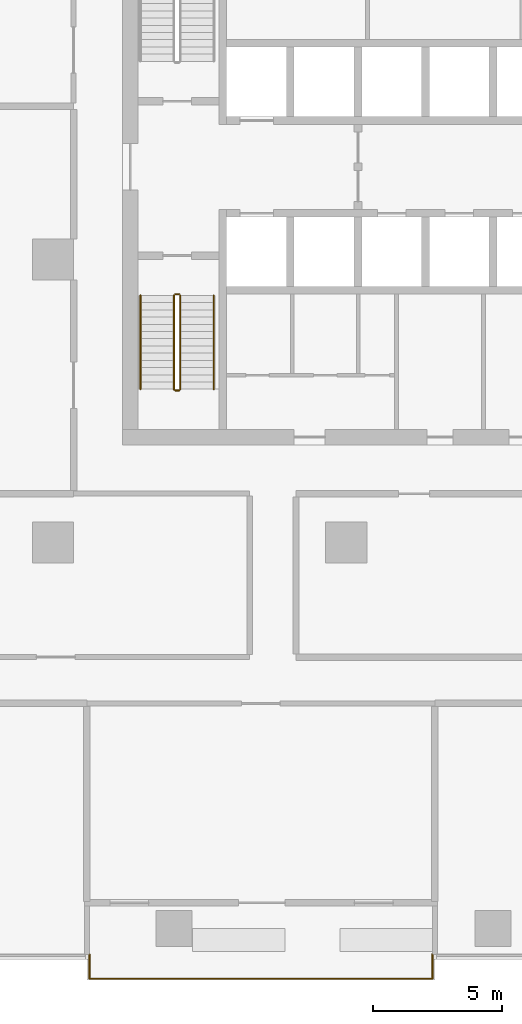
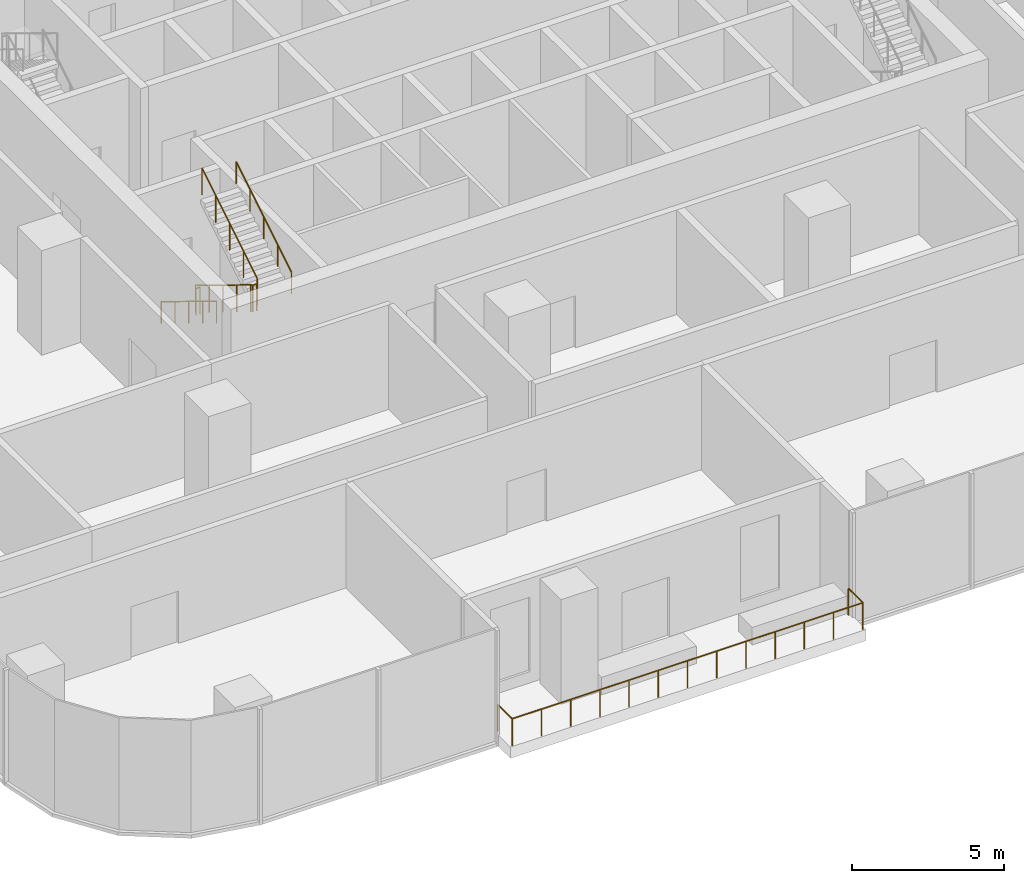
# One storey, part 12 of 15: 6 railings.
"""IFC4 building model written with IfcOpenShell, lengths in metres."""

from ifc_helpers import new_model, si_unit, direction, frame, origin, origin_2d, place, context, subcontext, project, spatial, circle, extrude, material, type_object, element, save


model = new_model("IFC4")

# Units and contexts
model_context = context("Model", 3, precision=1e-05, world=origin(), true_north=direction((0.0, 1.0)))
body_context = subcontext(model_context, "Body", "Model", "MODEL_VIEW")
ifc_project = project(units=[si_unit("LENGTHUNIT", "METRE"), si_unit("AREAUNIT", "SQUARE_METRE"), si_unit("VOLUMEUNIT", "CUBIC_METRE"), si_unit("PLANEANGLEUNIT", "RADIAN"), si_unit("MASSUNIT", "GRAM", prefix="KILO")], contexts=[model_context])

# Site, building, storey
site_placement = place(None, origin())
site = spatial("IfcSite", under=ifc_project, at=site_placement, CompositionType="ELEMENT")
building_placement = place(site_placement, origin())
building = spatial("IfcBuilding", under=site, at=building_placement, Name="Mopane Tessera Tower", CompositionType="ELEMENT")
storey_placement = place(building_placement, frame((0.0, 0.0, 83.800048828125)))
storey = spatial("IfcBuildingStorey", under=building, at=storey_placement, Name="L16", CompositionType="ELEMENT", Elevation=83.800048828125)

# Railings
ifc_material_1 = material(Name="Powder-coated steel balustrade", Category="steel")
railing_type_1 = type_object("IfcRailingType", Name="Escape stair guard 1100 mm", PredefinedType="GUARDRAIL", material=ifc_material_1)
railing_1_placement = place(storey_placement, frame((-12.39990234375, -1.39990234375, 0.17138671875)))
element("IfcRailing", 1, at=railing_1_placement, inside=storey, type_object=railing_type_1, Name="L16 ST1 stair guard 1", PredefinedType="GUARDRAIL", context=body_context, shape_type="SweptSolid", body=[
    extrude(circle(Radius=0.02392578125, at=origin_2d()), frame((0.0, 0.0, 1.076171875), z_axis=(0.0, -0.852865859571, 0.52213008492), x_axis=(1.0, 0.0, 0.0)), (0.0, 0.0, 1.0), 4.26806640625),
    extrude(circle(Radius=0.02392578125, at=origin_2d()), frame((0.0, -3.64013671875, 3.3046875), z_axis=(0.705375805398, -0.708833529934, 0.0), x_axis=(0.708833529934, 0.705375805398, 0.0)), (0.0, 0.0, 1.0), 0.070556640625),
    extrude(circle(Radius=0.02392578125, at=origin_2d()), frame((0.0498046875, -3.690185546875, 3.3046875), z_axis=(1.0, 0.0, 0.0), x_axis=(0.0, 1.0, 0.0)), (0.0, 0.0, 1.0), 0.150146484375),
    extrude(circle(Radius=0.02099609375, at=origin_2d()), origin(), (0.0, 0.0, 1.0), 1.052001953125),
    extrude(circle(Radius=0.02099609375, at=origin_2d()), frame((0.0, -0.91015625, 0.55712890625)), (0.0, 0.0, 1.0), 1.052001953125),
    extrude(circle(Radius=0.02099609375, at=origin_2d()), frame((0.0, -1.820068359375, 1.1142578125)), (0.0, 0.0, 1.0), 1.052001953125),
    extrude(circle(Radius=0.02099609375, at=origin_2d()), frame((0.0, -2.72998046875, 1.67138671875)), (0.0, 0.0, 1.0), 1.052001953125),
    extrude(circle(Radius=0.02099609375, at=origin_2d()), frame((0.0, -3.64013671875, 2.228515625)), (0.0, 0.0, 1.0), 1.052001953125),
    extrude(circle(Radius=0.02099609375, at=origin_2d()), frame((0.0498046875, -3.690185546875, 2.228515625)), (0.0, 0.0, 1.0), 1.052001953125),
    extrude(circle(Radius=0.02099609375, at=origin_2d()), frame((0.199951171875, -3.690185546875, 2.228515625)), (0.0, 0.0, 1.0), 1.052001953125),
])
railing_2_placement = place(storey_placement, frame((-12.14990234375, -5.0400390625, 2.5712890625)))
element("IfcRailing", 2, at=railing_2_placement, inside=storey, type_object=railing_type_1, Name="L16 ST1 stair guard 2", PredefinedType="GUARDRAIL", context=body_context, shape_type="SweptSolid", body=[
    extrude(circle(Radius=0.02392578125, at=origin_2d()), frame((0.0, 0.0, 1.076171875), z_axis=(0.0, 0.852840387347, 0.522171689878), x_axis=(-1.0, 0.0, 0.0)), (0.0, 0.0, 1.0), 4.268310546875),
    extrude(circle(Radius=0.02099609375, at=origin_2d()), origin(), (0.0, 0.0, 1.0), 1.052001953125),
    extrude(circle(Radius=0.02099609375, at=origin_2d()), frame((0.0, 0.91015625, 0.55712890625)), (0.0, 0.0, 1.0), 1.052001953125),
    extrude(circle(Radius=0.02099609375, at=origin_2d()), frame((0.0, 1.820068359375, 1.1142578125)), (0.0, 0.0, 1.0), 1.052001953125),
    extrude(circle(Radius=0.02099609375, at=origin_2d()), frame((0.0, 2.72998046875, 1.671630859375)), (0.0, 0.0, 1.0), 1.052001953125),
    extrude(circle(Radius=0.02099609375, at=origin_2d()), frame((0.0, 3.64013671875, 2.228759765625)), (0.0, 0.0, 1.0), 1.052001953125),
])
railing_3_placement = place(storey_placement, frame((-12.35009765625, -1.35009765625, 0.0)))
element("IfcRailing", 3, at=railing_3_placement, inside=storey, type_object=railing_type_1, Name="L16 ST1 stair guard 3", PredefinedType="GUARDRAIL", context=body_context, shape_type="SweptSolid", body=[
    extrude(circle(Radius=0.02392578125, at=origin_2d()), frame((0.0, 0.0, 1.076171875), z_axis=(1.0, 0.0, 0.0), x_axis=(0.0, 1.0, 0.0)), (0.0, 0.0, 1.0), 0.150146484375),
    extrude(circle(Radius=0.02099609375, at=origin_2d()), origin(), (0.0, 0.0, 1.0), 1.052001953125),
    extrude(circle(Radius=0.02099609375, at=origin_2d()), frame((0.150146484375, 0.0, 0.0)), (0.0, 0.0, 1.0), 1.052001953125),
])
ifc_material_2 = material(Name="Powder-coated steel balustrade", Category="steel")
railing_type_2 = type_object("IfcRailingType", Name="Escape stair handrail 900 mm", PredefinedType="HANDRAIL", material=ifc_material_2)
railing_4_placement = place(storey_placement, frame((-13.699951171875, -1.39990234375, 0.17138671875)))
element("IfcRailing", 4, at=railing_4_placement, inside=storey, type_object=railing_type_2, Name="L16 ST1 stair handrail 1", PredefinedType="HANDRAIL", context=body_context, shape_type="SweptSolid", body=[
    extrude(circle(Radius=0.02392578125, at=origin_2d()), frame((0.0, 0.0, 0.8759765625), z_axis=(0.0, -0.852865859571, 0.52213008492), x_axis=(1.0, 0.0, 0.0)), (0.0, 0.0, 1.0), 4.26806640625),
    extrude(circle(Radius=0.02099609375, at=origin_2d()), origin(), (0.0, 0.0, 1.0), 0.851806640625),
    extrude(circle(Radius=0.02099609375, at=origin_2d()), frame((0.0, -0.91015625, 0.55712890625)), (0.0, 0.0, 1.0), 0.851806640625),
    extrude(circle(Radius=0.02099609375, at=origin_2d()), frame((0.0, -1.820068359375, 1.1142578125)), (0.0, 0.0, 1.0), 0.851806640625),
    extrude(circle(Radius=0.02099609375, at=origin_2d()), frame((0.0, -2.72998046875, 1.67138671875)), (0.0, 0.0, 1.0), 0.851806640625),
    extrude(circle(Radius=0.02099609375, at=origin_2d()), frame((0.0, -3.64013671875, 2.228515625)), (0.0, 0.0, 1.0), 0.851806640625),
])
railing_5_placement = place(storey_placement, frame((-10.85009765625, -5.0400390625, 2.5712890625)))
element("IfcRailing", 5, at=railing_5_placement, inside=storey, type_object=railing_type_2, Name="L16 ST1 stair handrail 2", PredefinedType="HANDRAIL", context=body_context, shape_type="SweptSolid", body=[
    extrude(circle(Radius=0.02392578125, at=origin_2d()), frame((0.0, 0.0, 0.8759765625), z_axis=(0.0, 0.852840387347, 0.522171689878), x_axis=(-1.0, 0.0, 0.0)), (0.0, 0.0, 1.0), 4.268310546875),
    extrude(circle(Radius=0.02099609375, at=origin_2d()), origin(), (0.0, 0.0, 1.0), 0.851806640625),
    extrude(circle(Radius=0.02099609375, at=origin_2d()), frame((0.0, 0.91015625, 0.55712890625)), (0.0, 0.0, 1.0), 0.851806640625),
    extrude(circle(Radius=0.02099609375, at=origin_2d()), frame((0.0, 1.820068359375, 1.1142578125)), (0.0, 0.0, 1.0), 0.851806640625),
    extrude(circle(Radius=0.02099609375, at=origin_2d()), frame((0.0, 2.72998046875, 1.671630859375)), (0.0, 0.0, 1.0), 0.851806640625),
    extrude(circle(Radius=0.02099609375, at=origin_2d()), frame((0.0, 3.64013671875, 2.228759765625)), (0.0, 0.0, 1.0), 0.851806640625),
])
ifc_material_3 = material(Name="Stainless steel S316", Category="steel")
railing_type_3 = type_object("IfcRailingType", Name="Terrace guard 1100", PredefinedType="GUARDRAIL", material=ifc_material_3)
railing_6_placement = place(storey_placement, frame((-15.681884765625, -27.0, 0.0)))
element("IfcRailing", 6, at=railing_6_placement, inside=storey, type_object=railing_type_3, Name="e:nw:L16:N3:guard", PredefinedType="GUARDRAIL", context=body_context, shape_type="SweptSolid", body=[
    extrude(circle(Radius=0.02392578125, at=origin_2d()), frame((0.0, 0.0, 1.076171875), z_axis=(0.0, -1.0, 0.0), x_axis=(1.0, 0.0, 0.0)), (0.0, 0.0, 1.0), 0.949951171875),
    extrude(circle(Radius=0.02392578125, at=origin_2d()), frame((0.0, -0.949951171875, 1.076171875), z_axis=(1.0, 0.0, 0.0), x_axis=(0.0, 1.0, 0.0)), (0.0, 0.0, 1.0), 13.327392578125),
    extrude(circle(Radius=0.02392578125, at=origin_2d()), frame((13.327392578125, -0.949951171875, 1.076171875), z_axis=(0.0, 1.0, 0.0), x_axis=(-1.0, 0.0, 0.0)), (0.0, 0.0, 1.0), 0.949951171875),
    extrude(circle(Radius=0.02099609375, at=origin_2d()), origin(), (0.0, 0.0, 1.0), 1.052001953125),
    extrude(circle(Radius=0.02099609375, at=origin_2d()), frame((0.0, -0.949951171875, 0.0)), (0.0, 0.0, 1.0), 1.052001953125),
    extrude(circle(Radius=0.02099609375, at=origin_2d()), frame((1.110595703125, -0.949951171875, 0.0)), (0.0, 0.0, 1.0), 1.052001953125),
    extrude(circle(Radius=0.02099609375, at=origin_2d()), frame((2.22119140625, -0.949951171875, 0.0)), (0.0, 0.0, 1.0), 1.052001953125),
    extrude(circle(Radius=0.02099609375, at=origin_2d()), frame((3.331787109375, -0.949951171875, 0.0)), (0.0, 0.0, 1.0), 1.052001953125),
    extrude(circle(Radius=0.02099609375, at=origin_2d()), frame((4.4423828125, -0.949951171875, 0.0)), (0.0, 0.0, 1.0), 1.052001953125),
    extrude(circle(Radius=0.02099609375, at=origin_2d()), frame((5.552978515625, -0.949951171875, 0.0)), (0.0, 0.0, 1.0), 1.052001953125),
    extrude(circle(Radius=0.02099609375, at=origin_2d()), frame((6.66357421875, -0.949951171875, 0.0)), (0.0, 0.0, 1.0), 1.052001953125),
    extrude(circle(Radius=0.02099609375, at=origin_2d()), frame((7.7744140625, -0.949951171875, 0.0)), (0.0, 0.0, 1.0), 1.052001953125),
    extrude(circle(Radius=0.02099609375, at=origin_2d()), frame((8.885009765625, -0.949951171875, 0.0)), (0.0, 0.0, 1.0), 1.052001953125),
    extrude(circle(Radius=0.02099609375, at=origin_2d()), frame((9.99560546875, -0.949951171875, 0.0)), (0.0, 0.0, 1.0), 1.052001953125),
    extrude(circle(Radius=0.02099609375, at=origin_2d()), frame((11.106201171875, -0.949951171875, 0.0)), (0.0, 0.0, 1.0), 1.052001953125),
    extrude(circle(Radius=0.02099609375, at=origin_2d()), frame((12.216796875, -0.949951171875, 0.0)), (0.0, 0.0, 1.0), 1.052001953125),
    extrude(circle(Radius=0.02099609375, at=origin_2d()), frame((13.327392578125, -0.949951171875, 0.0)), (0.0, 0.0, 1.0), 1.052001953125),
    extrude(circle(Radius=0.02099609375, at=origin_2d()), frame((13.327392578125, 0.0, 0.0)), (0.0, 0.0, 1.0), 1.052001953125),
])

save(model, "model.ifc")
